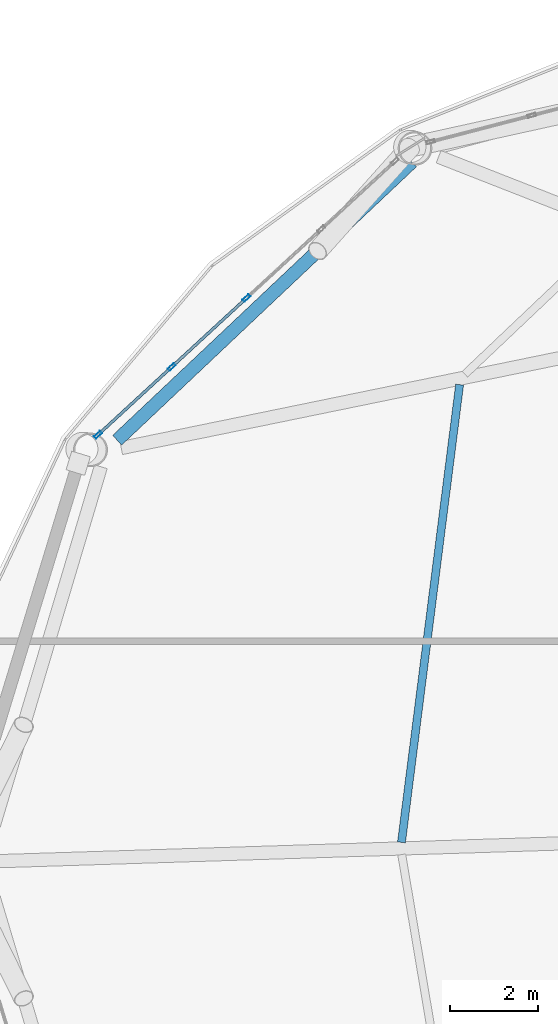
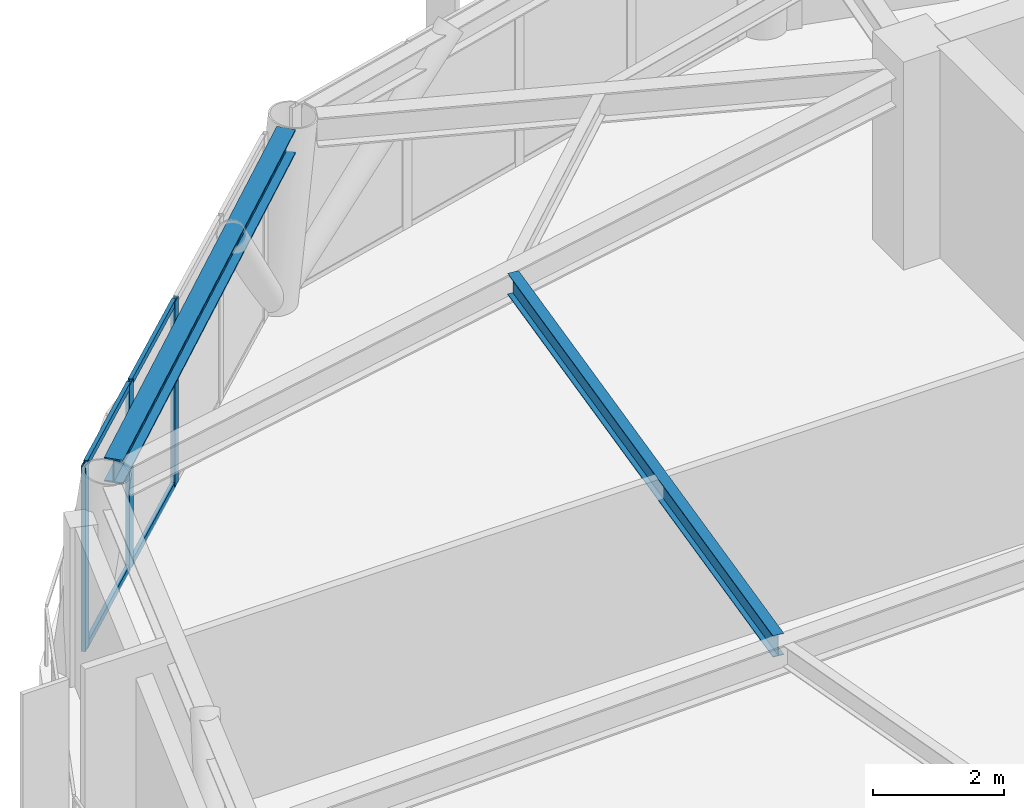
# One storey, part 12 of 26: 7 members, 2 beams, 1 element without a shape of its own.
"""IFC4 building model written with IfcOpenShell, lengths in metres."""

from ifc_helpers import new_model, si_unit, direction, frame, origin, origin_2d, place, context, subcontext, project, spatial, hollow_rectangle, i_section, extrude, material, layer, layer_set, material_profile, profile_set, type_object, element, aggregate, save


model = new_model("IFC4")

# Units and contexts
model_context = context("Model", 3, precision=1e-05, world=origin(), true_north=direction((0.0, 1.0)))
body_context = subcontext(model_context, "Body", "Model", "MODEL_VIEW")
ifc_project = project(units=[si_unit("LENGTHUNIT", "METRE"), si_unit("AREAUNIT", "SQUARE_METRE"), si_unit("VOLUMEUNIT", "CUBIC_METRE"), si_unit("PLANEANGLEUNIT", "RADIAN"), si_unit("MASSUNIT", "GRAM", prefix="KILO")], contexts=[model_context])

# Site, building, storey
site_placement = place(None, origin())
site = spatial("IfcSite", under=ifc_project, at=site_placement, CompositionType="ELEMENT")
building_placement = place(site_placement, origin())
building = spatial("IfcBuilding", under=site, at=building_placement, Name="Varnakorn Sky Granary", CompositionType="ELEMENT")
storey_placement = place(building_placement, frame((0.0, 0.0, 169.5)))
storey = spatial("IfcBuildingStorey", under=building, at=storey_placement, Name="L42", CompositionType="ELEMENT", Elevation=169.5)

# Beams
ifc_material_1 = material(Name="Steel S355JR", Category="steel")
ifc_material_profile_1 = material_profile(ifc_material_1, i_section(OverallWidth=0.179931640625, OverallDepth=0.39990234375, WebThickness=0.008544921875, FlangeThickness=0.013427734375, at=origin_2d()), Name="IPE 400")
ifc_profile_set_1 = profile_set([ifc_material_profile_1], Name="Steel S355JR")
beam_type_1 = type_object("IfcBeamType", Name="BM-SEC-Z3", PredefinedType="BEAM", material=ifc_profile_set_1)
beam_1_placement = place(storey_placement, frame((-10.541015625, 10.8193359375, 3.25), z_axis=(-0.12598128357, -0.992032618511, 0.0), x_axis=(0.992032618511, -0.12598128357, 0.0)))
element("IfcBeam", 1, at=beam_1_placement, inside=storey, type_object=beam_type_1, Name="Secondary Floor Chord Beam MSB06 L42", PredefinedType="BEAM", context=body_context, shape_type="SweptSolid", body=[
    extrude(i_section(OverallWidth=0.179931640625, OverallDepth=0.39990234375, WebThickness=0.008544921875, FlangeThickness=0.013427734375, at=origin_2d()), origin(), (0.0, 0.0, 1.0), 10.46484375),
])
ifc_material_profile_2 = material_profile(ifc_material_1, i_section(OverallWidth=0.300048828125, OverallDepth=0.449951171875, WebThickness=0.013916015625, FlangeThickness=0.02587890625, at=origin_2d()), Name="HE 450 B")
ifc_profile_set_2 = profile_set([ifc_material_profile_2], Name="Steel S355JR")
beam_type_2 = type_object("IfcBeamType", Name="BM-SPD-Z3", PredefinedType="SPANDREL", material=ifc_profile_set_2)
beam_2_placement = place(storey_placement, frame((-11.62353515625, 15.869873046875, 3.22509765625), z_axis=(-0.727105947404, -0.686525266287, 0.0), x_axis=(0.686525266287, -0.727105947404, 0.0)))
element("IfcBeam", 2, at=beam_2_placement, inside=storey, type_object=beam_type_2, Name="Perimeter Spandrel Ring Beam RB05 L42", PredefinedType="SPANDREL", context=body_context, shape_type="SweptSolid", body=[
    extrude(i_section(OverallWidth=0.300048828125, OverallDepth=0.449951171875, WebThickness=0.013916015625, FlangeThickness=0.02587890625, at=origin_2d()), origin(), (0.0, 0.0, 1.0), 9.192626953125),
])

# Curtain wall, members
ifc_material_2 = material(Name="Anodised Bronze Aluminium Alloy 6063-T6", Category="aluminium")
ifc_layer = layer(ifc_material_2, 0.179931640625, Name="Anodised Bronze Aluminium Alloy 6063-T6")
ifc_layer_set = layer_set([ifc_layer], Name="Anodised Bronze Aluminium Alloy 6063-T6")
curtain_wall_type = type_object("IfcCurtainWallType", Name="CW-FRM-2", PredefinedType="USERDEFINED", material=ifc_layer_set)
curtain_wall_placement = place(storey_placement, origin())
curtain_wall = element("IfcCurtainWall", 3, at=curtain_wall_placement, inside=storey, type_object=curtain_wall_type, Name="Unitised Curtain Wall CW4 CW-L42-B05", ObjectType="CURTAIN WALL", PredefinedType="USERDEFINED")
ifc_material_profile_3 = material_profile(ifc_material_2, hollow_rectangle(XDim=0.070068359375, YDim=0.18505859375, WallThickness=0.00390625, at=origin_2d()), Name="ALU MULL 70x185")
ifc_profile_set_3 = profile_set([ifc_material_profile_3], Name="Anodised Bronze Aluminium Alloy 6063-T6")
member_type_1 = type_object("IfcMemberType", Name="CW-FRM-2-MULL", PredefinedType="MULLION", material=ifc_profile_set_3)
member_1_placement = place(storey_placement, frame((-18.7431640625, 9.679931640625, 0.0), z_axis=(0.0, 0.0, 1.0), x_axis=(-0.677547955322, 0.735478598084, 0.0)))
member_1 = element("IfcMember", 4, at=member_1_placement, type_object=member_type_1, Name="CW4 mullion 1", PredefinedType="MULLION", context=body_context, shape_type="SweptSolid", body=[
    extrude(hollow_rectangle(XDim=0.070068359375, YDim=0.18505859375, WallThickness=0.00390625, at=origin_2d()), origin(), (0.0, 0.0, 1.0), 3.449951171875),
])
member_2_placement = place(storey_placement, frame((-17.072265625, 11.219482421875, 0.0), z_axis=(0.0, 0.0, 1.0), x_axis=(-0.677547955322, 0.735478598084, 0.0)))
member_2 = element("IfcMember", 5, at=member_2_placement, type_object=member_type_1, Name="CW4 mullion 2", PredefinedType="MULLION", context=body_context, shape_type="SweptSolid", body=[
    extrude(hollow_rectangle(XDim=0.070068359375, YDim=0.18505859375, WallThickness=0.00390625, at=origin_2d()), origin(), (0.0, 0.0, 1.0), 3.449951171875),
])
member_3_placement = place(storey_placement, frame((-15.37548828125, 12.78271484375, 0.0), z_axis=(0.0, 0.0, 1.0), x_axis=(-0.677547955322, 0.735478598084, 0.0)))
member_3 = element("IfcMember", 6, at=member_3_placement, type_object=member_type_1, Name="CW4 mullion 3", PredefinedType="MULLION", context=body_context, shape_type="SweptSolid", body=[
    extrude(hollow_rectangle(XDim=0.070068359375, YDim=0.18505859375, WallThickness=0.00390625, at=origin_2d()), origin(), (0.0, 0.0, 1.0), 3.449951171875),
])
ifc_material_profile_4 = material_profile(ifc_material_2, hollow_rectangle(XDim=0.06494140625, YDim=0.1201171875, WallThickness=0.00341796875, at=origin_2d()), Name="ALU TRAN 65x120")
ifc_profile_set_4 = profile_set([ifc_material_profile_4], Name="Anodised Bronze Aluminium Alloy 6063-T6")
member_type_2 = type_object("IfcMemberType", Name="CW-FRM-2-TRAN", PredefinedType="USERDEFINED", material=ifc_profile_set_4)
member_4_placement = place(storey_placement, frame((-18.717529296875, 9.70361328125, 0.032470703125), z_axis=(0.735449148752, 0.67757992119, 0.0), x_axis=(-0.67757992119, 0.735449148752, 0.0)))
member_4 = element("IfcMember", 7, at=member_4_placement, type_object=member_type_2, Name="CW4 transom 1.1", ObjectType="TRANSOM", PredefinedType="USERDEFINED", context=body_context, shape_type="SweptSolid", body=[
    extrude(hollow_rectangle(XDim=0.06494140625, YDim=0.1201171875, WallThickness=0.00341796875, at=origin_2d()), origin(), (0.0, 0.0, 1.0), 2.2021484375),
])
member_5_placement = place(storey_placement, frame((-18.717529296875, 9.70361328125, 3.41748046875), z_axis=(0.735449148752, 0.67757992119, 0.0), x_axis=(-0.67757992119, 0.735449148752, 0.0)))
member_5 = element("IfcMember", 8, at=member_5_placement, type_object=member_type_2, Name="CW4 transom 1.2", ObjectType="TRANSOM", PredefinedType="USERDEFINED", context=body_context, shape_type="SweptSolid", body=[
    extrude(hollow_rectangle(XDim=0.06494140625, YDim=0.1201171875, WallThickness=0.00341796875, at=origin_2d()), origin(), (0.0, 0.0, 1.0), 2.2021484375),
])
member_6_placement = place(storey_placement, frame((-17.04638671875, 11.2431640625, 0.032470703125), z_axis=(0.735489285858, 0.677536353555, 0.0), x_axis=(-0.677536353555, 0.735489285858, 0.0)))
member_6 = element("IfcMember", 9, at=member_6_placement, type_object=member_type_2, Name="CW4 transom 2.1", ObjectType="TRANSOM", PredefinedType="USERDEFINED", context=body_context, shape_type="SweptSolid", body=[
    extrude(hollow_rectangle(XDim=0.06494140625, YDim=0.1201171875, WallThickness=0.00341796875, at=origin_2d()), origin(), (0.0, 0.0, 1.0), 2.237060546875),
])
member_7_placement = place(storey_placement, frame((-17.04638671875, 11.2431640625, 3.41748046875), z_axis=(0.735489285858, 0.677536353555, 0.0), x_axis=(-0.677536353555, 0.735489285858, 0.0)))
member_7 = element("IfcMember", 10, at=member_7_placement, type_object=member_type_2, Name="CW4 transom 2.2", ObjectType="TRANSOM", PredefinedType="USERDEFINED", context=body_context, shape_type="SweptSolid", body=[
    extrude(hollow_rectangle(XDim=0.06494140625, YDim=0.1201171875, WallThickness=0.00341796875, at=origin_2d()), origin(), (0.0, 0.0, 1.0), 2.237060546875),
])
aggregate(curtain_wall, [member_1, member_2, member_3, member_4, member_5, member_6, member_7])

save(model, "model.ifc")
